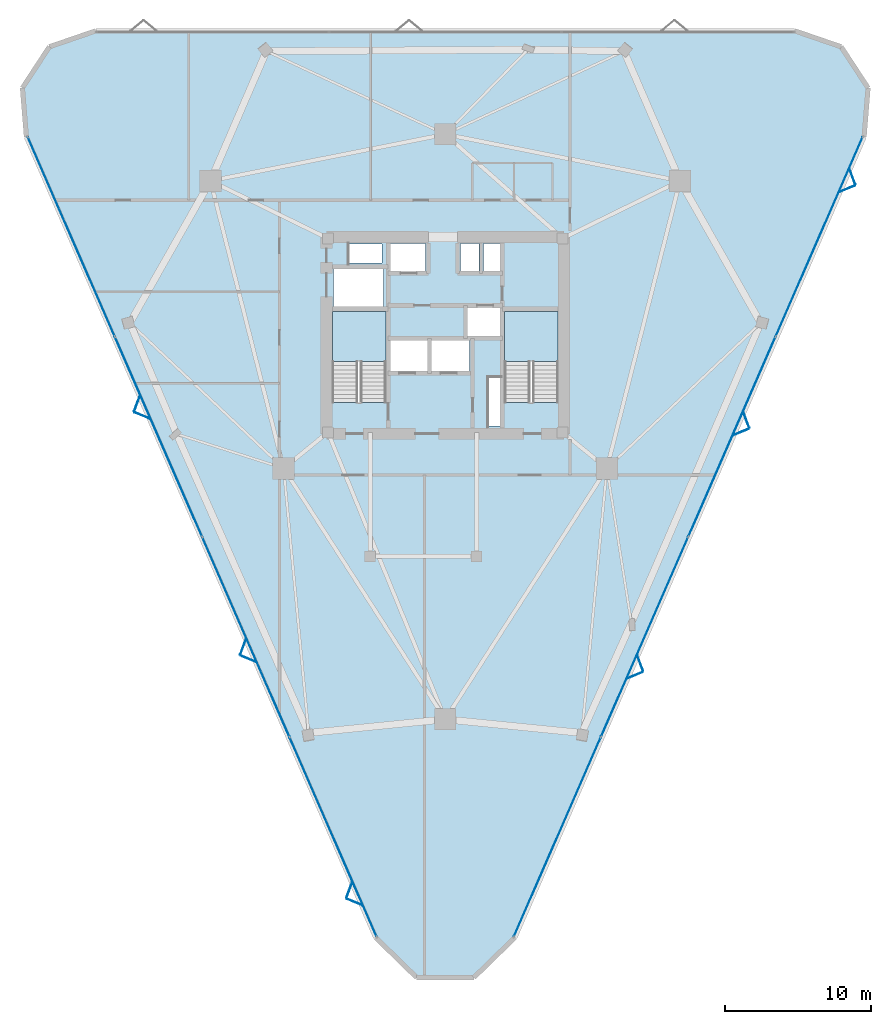
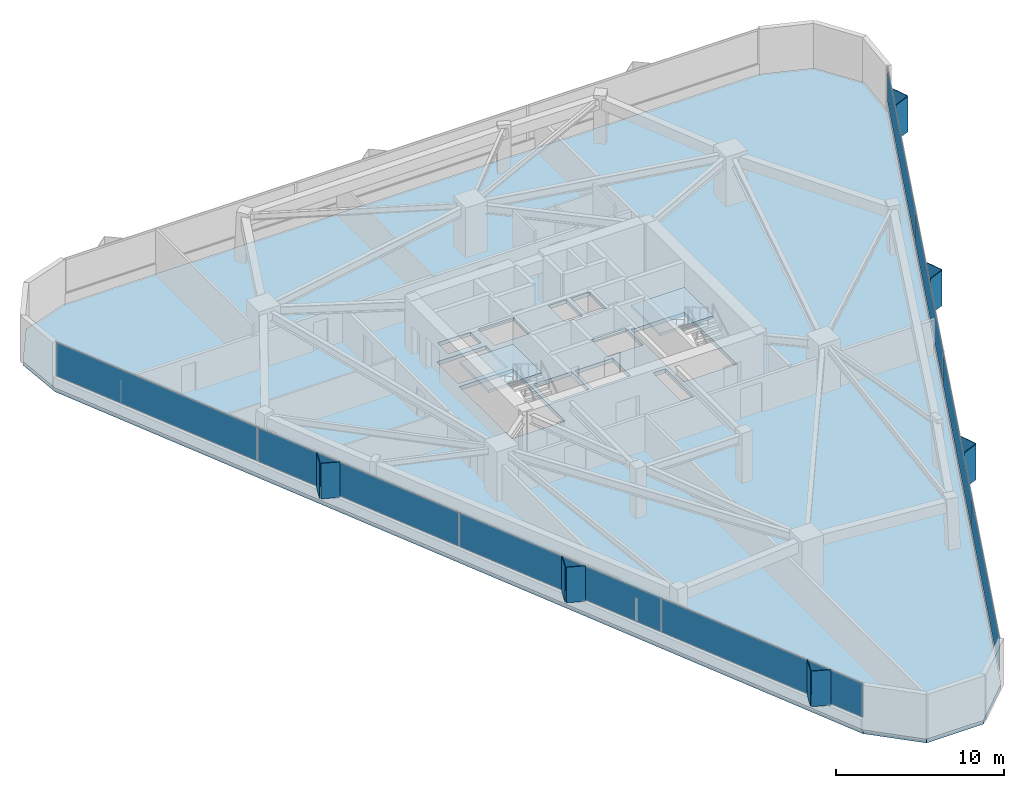
# One storey, part 10 of 14: 20 plates, 3 slabs, 4 elements without a shape of their own.
"""IFC4 building model written with IfcOpenShell, lengths in metres."""

from ifc_helpers import new_model, si_unit, direction, frame, origin, origin_2d, place, context, subcontext, project, spatial, polyline, rectangle, outline, extrude, material, layer, layer_set, type_object, element, aggregate, save


model = new_model("IFC4")

# Units and contexts
model_context = context("Model", 3, precision=1e-05, world=origin(), true_north=direction((0.0, 1.0)))
body_context = subcontext(model_context, "Body", "Model", "MODEL_VIEW")
ifc_project = project(units=[si_unit("LENGTHUNIT", "METRE"), si_unit("AREAUNIT", "SQUARE_METRE"), si_unit("VOLUMEUNIT", "CUBIC_METRE"), si_unit("PLANEANGLEUNIT", "RADIAN"), si_unit("MASSUNIT", "GRAM", prefix="KILO")], contexts=[model_context])

# Site, building, storey
site_placement = place(None, origin())
site = spatial("IfcSite", under=ifc_project, at=site_placement, CompositionType="ELEMENT")
building_placement = place(site_placement, origin())
building = spatial("IfcBuilding", under=site, at=building_placement, Name="Talyreon Biosciences Tower", CompositionType="ELEMENT")
storey_placement = place(building_placement, frame((0.0, 0.0, 141.800048828125)))
storey = spatial("IfcBuildingStorey", under=building, at=storey_placement, Name="L37", CompositionType="ELEMENT", Elevation=141.800048828125)

# Curtain wall, plates
ifc_material_1 = material(Name="Thermally broken aluminium and low-E glazing", Category="aluminium")
ifc_layer_1 = layer(ifc_material_1, 0.18505859375)
ifc_layer_set_1 = layer_set([ifc_layer_1], Name="Thermally broken aluminium and low-E glazing")
curtain_wall_type = type_object("IfcCurtainWallType", Name="CurtainWall_Zone3Bioprocess", PredefinedType="NOTDEFINED", material=ifc_layer_set_1)
curtain_wall_1_placement = place(storey_placement, origin())
curtain_wall_1 = element("IfcCurtainWall", 1, at=curtain_wall_1_placement, inside=storey, type_object=curtain_wall_type, Name="L37 Unitised Curtain Wall FCW-L37-00", PredefinedType="NOTDEFINED")
ifc_material_2 = material(Name="Triple-silver low-E insulated glazing", Category="glass")
ifc_layer_2 = layer(ifc_material_2, 0.031982421875)
ifc_layer_set_2 = layer_set([ifc_layer_2], Name="Triple-silver low-E insulated glazing")
plate_type_1 = type_object("IfcPlateType", Name="CWGlazingPanel_32", PredefinedType="CURTAIN_PANEL", material=ifc_layer_set_2)
plate_1_placement = place(storey_placement, frame((58.305908203125, 33.604736328125, 0.875), z_axis=(0.0, 0.0, 1.0), x_axis=(-0.399882429801, 0.916566441856, 0.0)))
plate_1 = element("IfcPlate", 2, at=plate_1_placement, type_object=plate_type_1, Name="CW4 panel 1.1", PredefinedType="CURTAIN_PANEL", context=body_context, shape_type="SweptSolid", body=[
    extrude(rectangle(XDim=14.88037109375, YDim=0.031982421875, at=origin_2d()), origin(), (0.0, 0.0, 1.0), 2.43505859375),
])
plate_2_placement = place(storey_placement, frame((52.322998046875, 47.318115234375, 0.875), z_axis=(0.0, 0.0, 1.0), x_axis=(-0.399882429801, 0.916566441856, 0.0)))
plate_2 = element("IfcPlate", 3, at=plate_2_placement, type_object=plate_type_1, Name="CW4 panel 2.1", PredefinedType="CURTAIN_PANEL", context=body_context, shape_type="SweptSolid", body=[
    extrude(rectangle(XDim=14.9130859375, YDim=0.031982421875, at=origin_2d()), origin(), (0.0, 0.0, 1.0), 2.43505859375),
])
plate_3_placement = place(storey_placement, frame((46.333740234375, 61.04638671875, 0.875), z_axis=(0.0, 0.0, 1.0), x_axis=(-0.399882429801, 0.916566441856, 0.0)))
plate_3 = element("IfcPlate", 4, at=plate_3_placement, type_object=plate_type_1, Name="CW4 panel 3.1", PredefinedType="CURTAIN_PANEL", context=body_context, shape_type="SweptSolid", body=[
    extrude(rectangle(XDim=14.9130859375, YDim=0.031982421875, at=origin_2d()), origin(), (0.0, 0.0, 1.0), 2.43505859375),
])
plate_4_placement = place(storey_placement, frame((40.350830078125, 74.759765625, 0.875), z_axis=(0.0, 0.0, 1.0), x_axis=(-0.399882429801, 0.916566441856, 0.0)))
plate_4 = element("IfcPlate", 5, at=plate_4_placement, type_object=plate_type_1, Name="CW4 panel 4.1", PredefinedType="CURTAIN_PANEL", context=body_context, shape_type="SweptSolid", body=[
    extrude(rectangle(XDim=14.88037109375, YDim=0.031982421875, at=origin_2d()), origin(), (0.0, 0.0, 1.0), 2.43505859375),
])
aggregate(curtain_wall_1, [plate_1, plate_2, plate_3, plate_4])

curtain_wall_2_placement = place(storey_placement, origin())
curtain_wall_2 = element("IfcCurtainWall", 6, at=curtain_wall_2_placement, inside=storey, type_object=curtain_wall_type, Name="L37 Unitised Curtain Wall FCW-L37-08", PredefinedType="NOTDEFINED")
plate_5_placement = place(storey_placement, frame((91.649169921875, 74.759765625, 0.875), z_axis=(0.0, 0.0, 1.0), x_axis=(-0.399882429801, -0.916566441856, 0.0)))
plate_5 = element("IfcPlate", 7, at=plate_5_placement, type_object=plate_type_1, Name="CW4 panel 1.1", PredefinedType="CURTAIN_PANEL", context=body_context, shape_type="SweptSolid", body=[
    extrude(rectangle(XDim=14.88037109375, YDim=0.031982421875, at=origin_2d()), origin(), (0.0, 0.0, 1.0), 2.43505859375),
])
plate_6_placement = place(storey_placement, frame((85.666259765625, 61.04638671875, 0.875), z_axis=(0.0, 0.0, 1.0), x_axis=(-0.399882429801, -0.916566441856, 0.0)))
plate_6 = element("IfcPlate", 8, at=plate_6_placement, type_object=plate_type_1, Name="CW4 panel 2.1", PredefinedType="CURTAIN_PANEL", context=body_context, shape_type="SweptSolid", body=[
    extrude(rectangle(XDim=14.9130859375, YDim=0.031982421875, at=origin_2d()), origin(), (0.0, 0.0, 1.0), 2.43505859375),
])
plate_7_placement = place(storey_placement, frame((79.677001953125, 47.318115234375, 0.875), z_axis=(0.0, 0.0, 1.0), x_axis=(-0.399882429801, -0.916566441856, 0.0)))
plate_7 = element("IfcPlate", 9, at=plate_7_placement, type_object=plate_type_1, Name="CW4 panel 3.1", PredefinedType="CURTAIN_PANEL", context=body_context, shape_type="SweptSolid", body=[
    extrude(rectangle(XDim=14.9130859375, YDim=0.031982421875, at=origin_2d()), origin(), (0.0, 0.0, 1.0), 2.43505859375),
])
plate_8_placement = place(storey_placement, frame((73.694091796875, 33.604736328125, 0.875), z_axis=(0.0, 0.0, 1.0), x_axis=(-0.399882429801, -0.916566441856, 0.0)))
plate_8 = element("IfcPlate", 10, at=plate_8_placement, type_object=plate_type_1, Name="CW4 panel 4.1", PredefinedType="CURTAIN_PANEL", context=body_context, shape_type="SweptSolid", body=[
    extrude(rectangle(XDim=14.88037109375, YDim=0.031982421875, at=origin_2d()), origin(), (0.0, 0.0, 1.0), 2.43505859375),
])
aggregate(curtain_wall_2, [plate_5, plate_6, plate_7, plate_8])

# Plates
ifc_material_3 = material(Name="Ivory GFRC sunshade panel", Category="concrete")
ifc_layer_3 = layer(ifc_material_3, 0.044921875)
ifc_layer_set_3 = layer_set([ifc_layer_3], Name="Ivory GFRC sunshade panel")
plate_type_2 = type_object("IfcPlateType", Name="FoldedVSunshade_SunFace_SUNSHADE", PredefinedType="USERDEFINED", material=ifc_layer_set_3)
for number, where, z_axis, x_axis, name in (
    (11, (59.7763671875, 29.134521484375, 0.7900390625), (0.0, 0.0, 1.0), (-0.924353038144, 0.381538282317, 0.0), "L37 Folded V-Sunshade Panel 00.01L"),
    (12, (59.41650390625, 29.959228515625, 0.7900390625), (0.0, 0.0, 1.0), (0.349046403698, 0.937105441274, 0.0), "L37 Folded V-Sunshade Panel 00.01R"),
    (13, (52.498291015625, 45.81591796875, 0.7900390625), (0.0, 0.0, 1.0), (-0.924353038144, 0.381538282317, 0.0), "L37 Folded V-Sunshade Panel 00.02L"),
    (14, (52.138427734375, 46.640869140625, 0.7900390625), (0.0, 0.0, 1.0), (0.349046403698, 0.937105441274, 0.0), "L37 Folded V-Sunshade Panel 00.02R"),
    (15, (45.220458984375, 62.497314453125, 0.7900390625), (0.0, 0.0, 1.0), (-0.924353038144, 0.381538282317, 0.0), "L37 Folded V-Sunshade Panel 00.03L"),
    (16, (44.860595703125, 63.322265625, 0.7900390625), (0.0, 0.0, 1.0), (0.349046403698, 0.937105441274, 0.0), "L37 Folded V-Sunshade Panel 00.03R"),
    (17, (93.926025390625, 78.878173828125, 0.7900390625), (0.0, 0.0, 1.0), (0.349046403698, -0.937105441274, 0.0), "L37 Folded V-Sunshade Panel 08.01L"),
    (18, (93.566162109375, 78.05322265625, 0.7900390625), (0.0, 0.0, 1.0), (-0.924353038144, -0.381538282317, 0.0), "L37 Folded V-Sunshade Panel 08.01R"),
    (19, (86.648193359375, 62.196533203125, 0.7900390625), (0.0, 0.0, 1.0), (0.349046403698, -0.937105441274, 0.0), "L37 Folded V-Sunshade Panel 08.02L"),
    (20, (86.288330078125, 61.37158203125, 0.7900390625), (0.0, 0.0, 1.0), (-0.924353038144, -0.381538282317, 0.0), "L37 Folded V-Sunshade Panel 08.02R"),
    (21, (79.370361328125, 45.51513671875, 0.7900390625), (0.0, 0.0, 1.0), (0.349046403698, -0.937105441274, 0.0), "L37 Folded V-Sunshade Panel 08.03L"),
    (22, (79.010498046875, 44.690185546875, 0.7900390625), (0.0, 0.0, 1.0), (-0.924353038144, -0.381538282317, 0.0), "L37 Folded V-Sunshade Panel 08.03R"),
):
    element("IfcPlate", number, at=place(storey_placement, frame(where, z_axis=z_axis, x_axis=x_axis)), inside=storey, type_object=plate_type_2, Name=name, ObjectType="SUNSHADE", PredefinedType="USERDEFINED", context=body_context, shape_type="SweptSolid", body=[
        extrude(rectangle(XDim=1.14990234375, YDim=0.044921875, at=origin_2d()), origin(), (0.0, 0.0, 1.0), 2.5849609375),
    ])

# Stair, slab
ifc_material_4 = material(Name="Concrete C40/50", Category="concrete")
stair_type = type_object("IfcStairType", Name="DoglegEscapeStair_3650", PredefinedType="HALF_TURN_STAIR", material=ifc_material_4)
stair_1_placement = place(storey_placement, origin())
stair_1 = element("IfcStair", 23, at=stair_1_placement, inside=storey, type_object=stair_type, Name="L37 Core Escape Stair 1", PredefinedType="HALF_TURN_STAIR")
ifc_layer_4 = layer(ifc_material_4, 0.199951171875)
ifc_layer_set_4 = layer_set([ifc_layer_4], Name="Concrete C40/50")
slab_type_1 = type_object("IfcSlabType", Name="StairLandingSlab_200", PredefinedType="LANDING", material=ifc_layer_set_4)
slab_1_placement = place(storey_placement, frame((0.0, 0.0, 1.625)))
slab_1 = element("IfcSlab", 24, at=slab_1_placement, type_object=slab_type_1, Name="ST-1 landing 1", PredefinedType="LANDING", context=body_context, shape_type="SweptSolid", body=[
    extrude(outline(polyline([(61.929931640625, 66.199951171875), (61.929931640625, 69.64990234375), (58.25, 69.64990234375), (58.25, 66.199951171875), (61.929931640625, 66.199951171875)])), origin(), (0.0, 0.0, 1.0), 0.199951171875),
])
aggregate(stair_1, [slab_1])

stair_2_placement = place(storey_placement, origin())
stair_2 = element("IfcStair", 25, at=stair_2_placement, inside=storey, type_object=stair_type, Name="L37 Core Escape Stair 2", PredefinedType="HALF_TURN_STAIR")
slab_2_placement = place(storey_placement, frame((0.0, 0.0, 1.625)))
slab_2 = element("IfcSlab", 26, at=slab_2_placement, type_object=slab_type_1, Name="ST-2 landing 1", PredefinedType="LANDING", context=body_context, shape_type="SweptSolid", body=[
    extrude(outline(polyline([(73.75, 66.199951171875), (73.75, 69.64990234375), (70.070068359375, 69.64990234375), (70.070068359375, 66.199951171875), (73.75, 66.199951171875)])), origin(), (0.0, 0.0, 1.0), 0.199951171875),
])
aggregate(stair_2, [slab_2])

# Slab
ifc_layer_5 = layer(ifc_material_4, 0.27490234375)
ifc_layer_set_5 = layer_set([ifc_layer_5], Name="Concrete C40/50")
slab_type_2 = type_object("IfcSlabType", Name="WetLabFloorSlab_275", PredefinedType="FLOOR", material=ifc_layer_set_5)
slab_3_placement = place(storey_placement, frame((0.0, 0.0, -0.275146484375)))
element("IfcSlab", 27, at=slab_3_placement, inside=storey, type_object=slab_type_2, Name="L37 Structural Floor Slab", PredefinedType="FLOOR", context=body_context, shape_type="SweptSolid", body=[
    extrude(outline(polyline([(61.23388671875, 26.693603515625), (37.276123046875, 81.606689453125), (37.003173828125, 84.969482421875), (38.85107421875, 87.791748046875), (42.042236328125, 88.88623046875), (89.957763671875, 88.88623046875), (93.14892578125, 87.791748046875), (94.996826171875, 84.969482421875), (94.723876953125, 81.606689453125), (70.76611328125, 26.693603515625), (67.9599609375, 23.95654296875), (64.0400390625, 23.95654296875), (61.23388671875, 26.693603515625)]), holes=[polyline([(61.929931640625, 69.64990234375), (61.929931640625, 63.407958984375), (58.25, 63.407958984375), (58.25, 69.64990234375), (61.929931640625, 69.64990234375)]), polyline([(64.800048828125, 67.64990234375), (64.800048828125, 65.550048828125), (62.199951171875, 65.550048828125), (62.199951171875, 67.64990234375), (64.800048828125, 67.64990234375)]), polyline([(67.64990234375, 67.64990234375), (67.64990234375, 65.550048828125), (65.050048828125, 65.550048828125), (65.050048828125, 67.64990234375), (67.64990234375, 67.64990234375)]), polyline([(61.75, 69.97998046875), (58.35009765625, 69.97998046875), (58.35009765625, 72.550048828125), (61.75, 72.550048828125), (61.75, 69.97998046875)]), polyline([(64.64990234375, 72.35009765625), (62.199951171875, 72.35009765625), (62.199951171875, 74.300048828125), (64.64990234375, 74.300048828125), (64.64990234375, 72.35009765625)]), polyline([(61.64990234375, 74.25), (61.64990234375, 72.9599609375), (59.39990234375, 72.9599609375), (59.39990234375, 74.25), (61.64990234375, 74.25)]), polyline([(69.820068359375, 61.800048828125), (68.9599609375, 61.800048828125), (68.9599609375, 65.10009765625), (69.820068359375, 65.10009765625), (69.820068359375, 61.800048828125)]), polyline([(73.75, 63.407958984375), (70.070068359375, 63.407958984375), (70.070068359375, 69.64990234375), (73.75, 69.64990234375), (73.75, 63.407958984375)]), polyline([(69.89990234375, 69.949951171875), (69.89990234375, 67.949951171875), (67.5, 67.949951171875), (67.5, 69.949951171875), (69.89990234375, 69.949951171875)]), polyline([(68.300048828125, 72.35009765625), (67.050048828125, 72.35009765625), (67.050048828125, 74.300048828125), (68.300048828125, 74.300048828125), (68.300048828125, 72.35009765625)]), polyline([(69.919921875, 72.35009765625), (68.6201171875, 72.35009765625), (68.6201171875, 74.300048828125), (69.919921875, 74.300048828125), (69.919921875, 72.35009765625)])]), origin(), (0.0, 0.0, 1.0), 0.275146484375),
])

save(model, "model.ifc")
